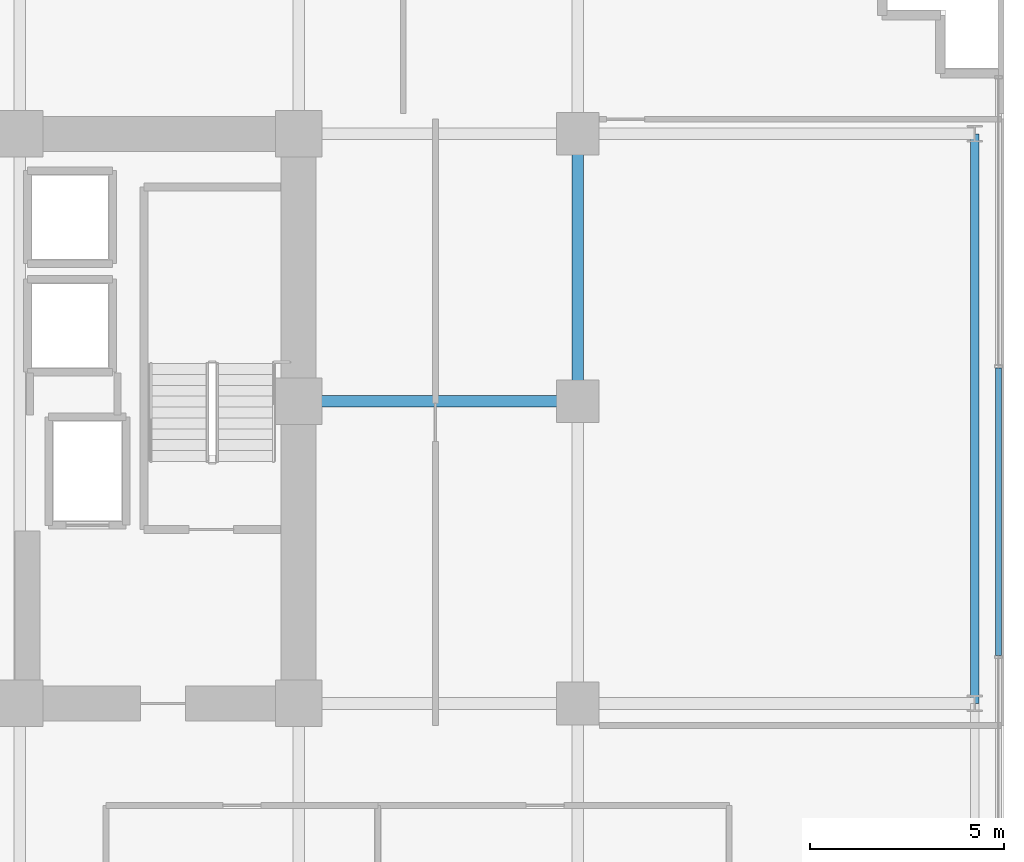
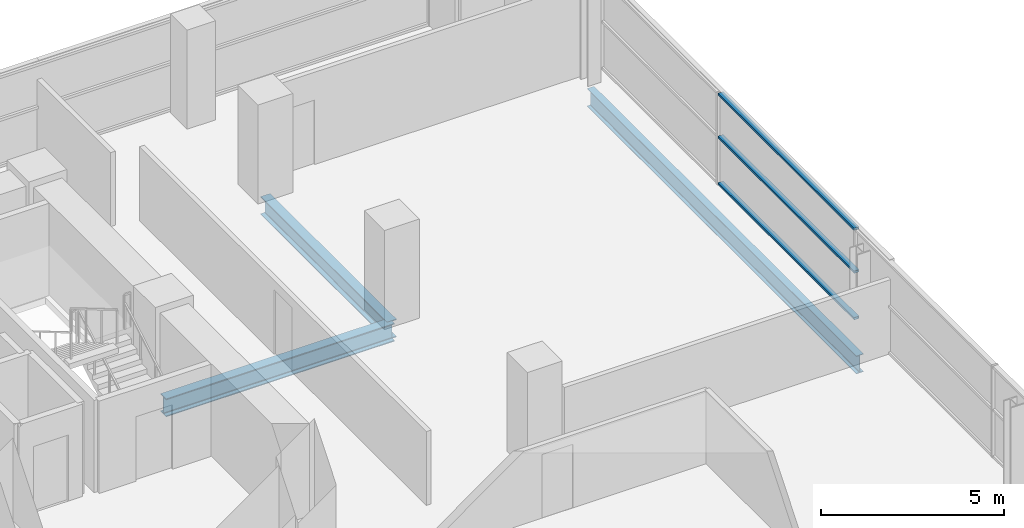
# One storey, part 16 of 31: 3 beams, 3 members, 1 element without a shape of its own.
"""IFC4 building model written with IfcOpenShell, lengths in metres."""

from ifc_helpers import new_model, si_unit, direction, frame, origin, origin_2d, place, context, subcontext, project, spatial, hollow_rectangle, i_section, extrude, source, transform, mapped, material, layer, layer_set, material_profile, profile_set, type_object, element, aggregate, save


model = new_model("IFC4")

# Units and contexts
model_context = context("Model", 3, precision=1e-05, world=origin(), true_north=direction((0.0, 1.0)))
body_context = subcontext(model_context, "Body", "Model", "MODEL_VIEW")
ifc_project = project(units=[si_unit("LENGTHUNIT", "METRE"), si_unit("AREAUNIT", "SQUARE_METRE"), si_unit("VOLUMEUNIT", "CUBIC_METRE"), si_unit("PLANEANGLEUNIT", "RADIAN"), si_unit("MASSUNIT", "GRAM", prefix="KILO")], contexts=[model_context])

# Site, building, storey
site_placement = place(None, origin())
site = spatial("IfcSite", under=ifc_project, at=site_placement, CompositionType="ELEMENT")
building_placement = place(site_placement, origin())
building = spatial("IfcBuilding", under=site, at=building_placement, Name="Zarnakvel Exchange Tower", CompositionType="ELEMENT")
storey_placement = place(building_placement, frame((0.0, 0.0, 60.39990234375)))
storey = spatial("IfcBuildingStorey", under=building, at=storey_placement, Name="L16", CompositionType="ELEMENT", Elevation=60.39990234375)

# Beams
ifc_material_1 = material(Name="Steel S355", Category="steel")
ifc_material_profile_1 = material_profile(ifc_material_1, i_section(OverallWidth=0.300048828125, OverallDepth=0.60009765625, WebThickness=0.015380859375, FlangeThickness=0.030029296875, FilletRadius=0.027099609375, at=origin_2d()))
ifc_profile_set_1 = profile_set([ifc_material_profile_1], Name="Steel S355")
beam_type_1 = type_object("IfcBeamType", Name="G-04", PredefinedType="BEAM", material=ifc_profile_set_1)
beam_1_placement = place(storey_placement, frame((14.39990234375, 6.60009765625, -0.52490234375), z_axis=(1.0, 0.0, 0.0), x_axis=(0.0, 1.0, 0.0)))
element("IfcBeam", 1, at=beam_1_placement, inside=storey, type_object=beam_type_1, Name="L16 Tower E-W Frame Beam", PredefinedType="BEAM", context=body_context, shape_type="SweptSolid", body=[
    extrude(i_section(OverallWidth=0.300048828125, OverallDepth=0.60009765625, WebThickness=0.015380859375, FlangeThickness=0.030029296875, FilletRadius=0.027099609375, at=origin_2d()), origin(), (0.0, 0.0, 1.0), 7.2001953125),
])
beam_2_placement = place(storey_placement, frame((21.60009765625, 6.60009765625, -0.52490234375), z_axis=(0.0, 1.0, 0.0), x_axis=(-1.0, 0.0, 0.0)))
element("IfcBeam", 2, at=beam_2_placement, inside=storey, type_object=beam_type_1, Name="L16 Tower N-S Frame Beam", PredefinedType="BEAM", context=body_context, shape_type="SweptSolid", body=[
    extrude(i_section(OverallWidth=0.300048828125, OverallDepth=0.60009765625, WebThickness=0.015380859375, FlangeThickness=0.030029296875, FilletRadius=0.027099609375, at=origin_2d()), origin(), (0.0, 0.0, 1.0), 6.89990234375),
])
ifc_material_profile_2 = material_profile(ifc_material_1, i_section(OverallWidth=0.219970703125, OverallDepth=0.60009765625, WebThickness=0.011962890625, FlangeThickness=0.01904296875, FilletRadius=0.02392578125, at=origin_2d()))
ifc_profile_set_2 = profile_set([ifc_material_profile_2], Name="Steel S355")
beam_type_2 = type_object("IfcBeamType", Name="SP-01", PredefinedType="SPANDREL", material=ifc_profile_set_2)
beam_3_placement = place(storey_placement, frame((31.85009765625, -1.199951171875, -0.52490234375), z_axis=(0.0, 1.0, 0.0), x_axis=(-1.0, 0.0, 0.0)))
element("IfcBeam", 3, at=beam_3_placement, inside=storey, type_object=beam_type_2, Name="L16 Tower N-S Frame Beam", PredefinedType="SPANDREL", context=body_context, shape_type="SweptSolid", body=[
    extrude(i_section(OverallWidth=0.219970703125, OverallDepth=0.60009765625, WebThickness=0.011962890625, FlangeThickness=0.01904296875, FilletRadius=0.02392578125, at=origin_2d()), origin(), (0.0, 0.0, 1.0), 14.699951171875),
])

# Curtain wall, members
ifc_material_2 = material(Name="Architectural Bronze Anodised Aluminium", Category="aluminium")
ifc_layer = layer(ifc_material_2, 0.199951171875)
ifc_layer_set = layer_set([ifc_layer], Name="Architectural Bronze Anodised Aluminium")
curtain_wall_type = type_object("IfcCurtainWallType", Name="CW-04", PredefinedType="NOTDEFINED", material=ifc_layer_set)
curtain_wall_placement = place(storey_placement, origin())
curtain_wall = element("IfcCurtainWall", 4, at=curtain_wall_placement, inside=storey, type_object=curtain_wall_type, Name="L16 Curtain Wall CW-L16-E1 (CW-04)", PredefinedType="NOTDEFINED")
ifc_material_profile_3 = material_profile(ifc_material_2, hollow_rectangle(XDim=0.159912109375, YDim=0.074951171875, WallThickness=0.00390625, at=origin_2d()))
ifc_profile_set_3 = profile_set([ifc_material_profile_3], Name="Architectural Bronze Anodised Aluminium")
member_type = type_object("IfcMemberType", Name="CWT-04", PredefinedType="USERDEFINED", material=ifc_profile_set_3)
shared_shape = source(origin(), body_context, "Body", "SweptSolid", [
    extrude(hollow_rectangle(XDim=0.159912109375, YDim=0.074951171875, WallThickness=0.00390625, at=origin_2d()), origin(), (0.0, 0.0, 1.0), 7.4248046875),
])
member_1_placement = place(storey_placement, frame((32.4599609375, 0.03759765625, 0.03759765625), z_axis=(0.0, 1.0, 0.0), x_axis=(-1.0, 0.0, 0.0)))
member_1 = element("IfcMember", 5, at=member_1_placement, type_object=member_type, Name="CW-04 transom 3.1", ObjectType="TRANSOM", PredefinedType="USERDEFINED", context=body_context, shape_type="MappedRepresentation", body=[
    mapped(shared_shape, transform((0.0, 0.0, 0.0), x_axis=(1.0, 0.0, 0.0), y_axis=(0.0, 1.0, 0.0), z_axis=(0.0, 0.0, 1.0), scale=1.0)),
])
member_2_placement = place(storey_placement, frame((32.4599609375, 0.03759765625, 1.588623046875), z_axis=(0.0, 1.0, 0.0), x_axis=(-1.0, 0.0, 0.0)))
member_2 = element("IfcMember", 6, at=member_2_placement, type_object=member_type, Name="CW-04 transom 3.2", ObjectType="TRANSOM", PredefinedType="USERDEFINED", context=body_context, shape_type="MappedRepresentation", body=[
    mapped(shared_shape, transform((0.0, 0.0, 0.0), x_axis=(1.0, 0.0, 0.0), y_axis=(0.0, 1.0, 0.0), z_axis=(0.0, 0.0, 1.0), scale=1.0)),
])
member_3_placement = place(storey_placement, frame((32.4599609375, 0.03759765625, 3.017578125), z_axis=(0.0, 1.0, 0.0), x_axis=(-1.0, 0.0, 0.0)))
member_3 = element("IfcMember", 7, at=member_3_placement, type_object=member_type, Name="CW-04 transom 3.3", ObjectType="TRANSOM", PredefinedType="USERDEFINED", context=body_context, shape_type="MappedRepresentation", body=[
    mapped(shared_shape, transform((0.0, 0.0, 0.0), x_axis=(1.0, 0.0, 0.0), y_axis=(0.0, 1.0, 0.0), z_axis=(0.0, 0.0, 1.0), scale=1.0)),
])
aggregate(curtain_wall, [member_1, member_2, member_3])

save(model, "model.ifc")
